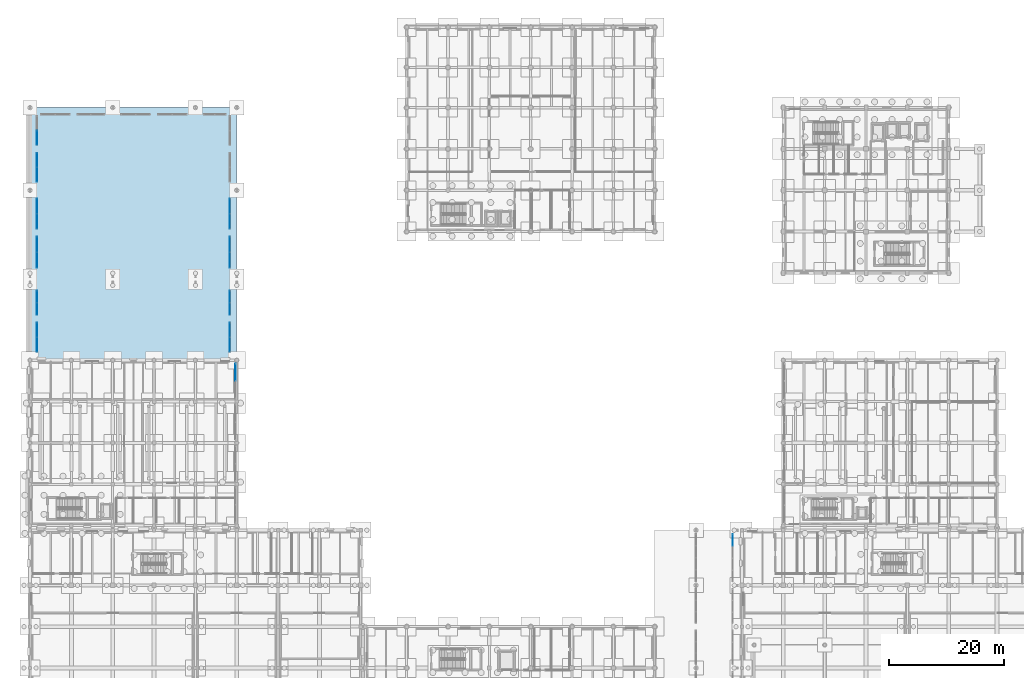
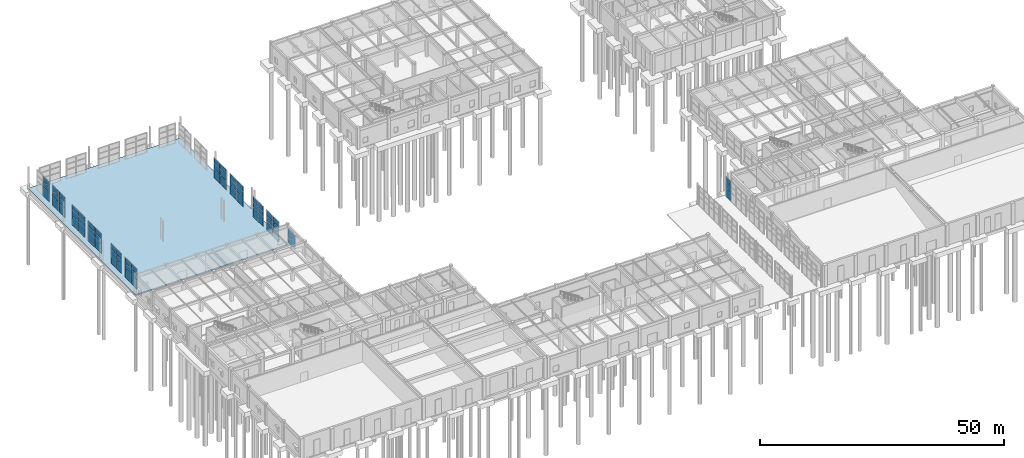
# One storey, part 58 of 91: 62 plates, 1 slab, 12 elements without a shape of their own.
"""IFC4 building model written with IfcOpenShell, lengths in metres."""

from ifc_helpers import new_model, si_unit, direction, frame, origin, origin_2d, place, context, subcontext, project, spatial, polyline, rectangle, outline, extrude, material, layer, layer_set, type_object, element, aggregate, save


model = new_model("IFC4")

# Units and contexts
model_context = context("Model", 3, precision=1e-05, world=origin(), true_north=direction((0.0, 1.0)))
body_context = subcontext(model_context, "Body", "Model", "MODEL_VIEW")
ifc_project = project(units=[si_unit("LENGTHUNIT", "METRE"), si_unit("AREAUNIT", "SQUARE_METRE"), si_unit("VOLUMEUNIT", "CUBIC_METRE"), si_unit("PLANEANGLEUNIT", "RADIAN"), si_unit("MASSUNIT", "GRAM", prefix="KILO")], contexts=[model_context])

# Site, building, storey
site_placement = place(None, origin())
site = spatial("IfcSite", under=ifc_project, at=site_placement, CompositionType="ELEMENT")
building_placement = place(site_placement, origin())
building = spatial("IfcBuilding", under=site, at=building_placement, Name="Bramveld Media Centre", CompositionType="ELEMENT")
storey_placement = place(building_placement, origin())
storey = spatial("IfcBuildingStorey", under=building, at=storey_placement, Name="L00", CompositionType="ELEMENT", Elevation=0.0)

# Curtain wall, plates
ifc_material_1 = material(Name="Thermally broken anodized bronze aluminium unitized curtain wall with solar-control triple glazing", Category="aluminium")
curtain_wall_type_1 = type_object("IfcCurtainWallType", Name="CW-FACV3-6100x3670", PredefinedType="NOTDEFINED", material=ifc_material_1)
curtain_wall_1_placement = place(storey_placement, origin())
curtain_wall_1 = element("IfcCurtainWall", 1, at=curtain_wall_1_placement, inside=storey, type_object=curtain_wall_type_1, Name="V3 L00 E curtain wall bay 4", PredefinedType="NOTDEFINED")
ifc_material_2 = material(Name="Solar-control triple insulating safety glass unit", Category="glass")
ifc_layer_1 = layer(ifc_material_2, 0.028076171875)
ifc_layer_set_1 = layer_set([ifc_layer_1], Name="Solar-control triple insulating safety glass unit")
plate_type = type_object("IfcPlateType", Name="CW-PAN-EXT", PredefinedType="CURTAIN_PANEL", material=ifc_layer_set_1)
plate_1_placement = place(storey_placement, frame((35.77001953125, 65.909912109375, 0.909912109375), z_axis=(0.0, 0.0, 1.0), x_axis=(0.0, 1.0, 0.0)))
plate_1 = element("IfcPlate", 2, at=plate_1_placement, type_object=plate_type, Name="CW-FA-6136 panel 2.1", PredefinedType="CURTAIN_PANEL", context=body_context, shape_type="SweptSolid", body=[
    extrude(rectangle(XDim=2.9599609375, YDim=0.028076171875, at=origin_2d()), origin(), (0.0, 0.0, 1.0), 1.7451171875),
])
plate_2_placement = place(storey_placement, frame((35.77001953125, 65.909912109375, 2.71484375), z_axis=(0.0, 0.0, 1.0), x_axis=(0.0, 1.0, 0.0)))
plate_2 = element("IfcPlate", 3, at=plate_2_placement, type_object=plate_type, Name="CW-FA-6136 panel 2.2", PredefinedType="CURTAIN_PANEL", context=body_context, shape_type="SweptSolid", body=[
    extrude(rectangle(XDim=2.9599609375, YDim=0.028076171875, at=origin_2d()), origin(), (0.0, 0.0, 1.0), 1.7451171875),
])
aggregate(curtain_wall_1, [plate_1, plate_2])

ifc_material_3 = material(Name="Thermally broken anodized bronze aluminium unitized curtain wall with solar-control triple glazing", Category="aluminium")
curtain_wall_type_2 = type_object("IfcCurtainWallType", Name="CW-GAL-8300x5160", PredefinedType="NOTDEFINED", material=ifc_material_3)
curtain_wall_2_placement = place(storey_placement, origin())
curtain_wall_2 = element("IfcCurtainWall", 4, at=curtain_wall_2_placement, inside=storey, type_object=curtain_wall_type_2, Name="PASS-E colonnade glazed screen 5", PredefinedType="NOTDEFINED")
plate_3_placement = place(storey_placement, frame((122.39990234375, 36.697509765625, 0.06005859375), z_axis=(0.0, 0.0, 1.0), x_axis=(0.0, 1.0, 0.0)))
plate_3 = element("IfcPlate", 5, at=plate_3_placement, type_object=plate_type, Name="CW-GA-8351 panel 4.1", PredefinedType="CURTAIN_PANEL", context=body_context, shape_type="SweptSolid", body=[
    extrude(rectangle(XDim=1.985107421875, YDim=0.028076171875, at=origin_2d()), origin(), (0.0, 0.0, 1.0), 2.31005859375),
])
plate_4_placement = place(storey_placement, frame((122.39990234375, 36.697509765625, 2.43017578125), z_axis=(0.0, 0.0, 1.0), x_axis=(0.0, 1.0, 0.0)))
plate_4 = element("IfcPlate", 6, at=plate_4_placement, type_object=plate_type, Name="CW-GA-8351 panel 4.2", PredefinedType="CURTAIN_PANEL", context=body_context, shape_type="SweptSolid", body=[
    extrude(rectangle(XDim=1.985107421875, YDim=0.028076171875, at=origin_2d()), origin(), (0.0, 0.0, 1.0), 1.340087890625),
])
plate_5_placement = place(storey_placement, frame((122.39990234375, 36.697509765625, 3.830078125), z_axis=(0.0, 0.0, 1.0), x_axis=(0.0, 1.0, 0.0)))
plate_5 = element("IfcPlate", 7, at=plate_5_placement, type_object=plate_type, Name="CW-GA-8351 panel 4.3", PredefinedType="CURTAIN_PANEL", context=body_context, shape_type="SweptSolid", body=[
    extrude(rectangle(XDim=1.985107421875, YDim=0.028076171875, at=origin_2d()), origin(), (0.0, 0.0, 1.0), 1.27001953125),
])
aggregate(curtain_wall_2, [plate_3, plate_4, plate_5])

ifc_material_4 = material(Name="Thermally broken anodized bronze aluminium unitized curtain wall with solar-control triple glazing", Category="aluminium")
curtain_wall_type_3 = type_object("IfcCurtainWallType", Name="CW-GAL-5100x5160", PredefinedType="NOTDEFINED", material=ifc_material_4)
curtain_wall_3_placement = place(storey_placement, origin())
curtain_wall_3 = element("IfcCurtainWall", 8, at=curtain_wall_3_placement, inside=storey, type_object=curtain_wall_type_3, Name="COLN-W colonnade glazed screen 1", PredefinedType="NOTDEFINED")
plate_6_placement = place(storey_placement, frame((1.199951171875, 70.739990234375, 0.06005859375), z_axis=(0.0, 0.0, 1.0), x_axis=(0.0, 1.0, 0.0)))
plate_6 = element("IfcPlate", 9, at=plate_6_placement, type_object=plate_type, Name="CW-GA-5151 panel 1.1", PredefinedType="CURTAIN_PANEL", context=body_context, shape_type="SweptSolid", body=[
    extrude(rectangle(XDim=2.4599609375, YDim=0.028076171875, at=origin_2d()), origin(), (0.0, 0.0, 1.0), 2.31005859375),
])
plate_7_placement = place(storey_placement, frame((1.199951171875, 70.739990234375, 2.43017578125), z_axis=(0.0, 0.0, 1.0), x_axis=(0.0, 1.0, 0.0)))
plate_7 = element("IfcPlate", 10, at=plate_7_placement, type_object=plate_type, Name="CW-GA-5151 panel 1.2", PredefinedType="CURTAIN_PANEL", context=body_context, shape_type="SweptSolid", body=[
    extrude(rectangle(XDim=2.4599609375, YDim=0.028076171875, at=origin_2d()), origin(), (0.0, 0.0, 1.0), 1.340087890625),
])
plate_8_placement = place(storey_placement, frame((1.199951171875, 70.739990234375, 3.830078125), z_axis=(0.0, 0.0, 1.0), x_axis=(0.0, 1.0, 0.0)))
plate_8 = element("IfcPlate", 11, at=plate_8_placement, type_object=plate_type, Name="CW-GA-5151 panel 1.3", PredefinedType="CURTAIN_PANEL", context=body_context, shape_type="SweptSolid", body=[
    extrude(rectangle(XDim=2.4599609375, YDim=0.028076171875, at=origin_2d()), origin(), (0.0, 0.0, 1.0), 1.27001953125),
])
plate_9_placement = place(storey_placement, frame((1.199951171875, 73.260009765625, 0.06005859375), z_axis=(0.0, 0.0, 1.0), x_axis=(0.0, 1.0, 0.0)))
plate_9 = element("IfcPlate", 12, at=plate_9_placement, type_object=plate_type, Name="CW-GA-5151 panel 2.1", PredefinedType="CURTAIN_PANEL", context=body_context, shape_type="SweptSolid", body=[
    extrude(rectangle(XDim=2.4599609375, YDim=0.028076171875, at=origin_2d()), origin(), (0.0, 0.0, 1.0), 2.31005859375),
])
plate_10_placement = place(storey_placement, frame((1.199951171875, 73.260009765625, 2.43017578125), z_axis=(0.0, 0.0, 1.0), x_axis=(0.0, 1.0, 0.0)))
plate_10 = element("IfcPlate", 13, at=plate_10_placement, type_object=plate_type, Name="CW-GA-5151 panel 2.2", PredefinedType="CURTAIN_PANEL", context=body_context, shape_type="SweptSolid", body=[
    extrude(rectangle(XDim=2.4599609375, YDim=0.028076171875, at=origin_2d()), origin(), (0.0, 0.0, 1.0), 1.340087890625),
])
plate_11_placement = place(storey_placement, frame((1.199951171875, 73.260009765625, 3.830078125), z_axis=(0.0, 0.0, 1.0), x_axis=(0.0, 1.0, 0.0)))
plate_11 = element("IfcPlate", 14, at=plate_11_placement, type_object=plate_type, Name="CW-GA-5151 panel 2.3", PredefinedType="CURTAIN_PANEL", context=body_context, shape_type="SweptSolid", body=[
    extrude(rectangle(XDim=2.4599609375, YDim=0.028076171875, at=origin_2d()), origin(), (0.0, 0.0, 1.0), 1.27001953125),
])
aggregate(curtain_wall_3, [plate_6, plate_7, plate_8, plate_9, plate_10, plate_11])

ifc_material_5 = material(Name="Thermally broken anodized bronze aluminium unitized curtain wall with solar-control triple glazing", Category="aluminium")
curtain_wall_type_4 = type_object("IfcCurtainWallType", Name="CW-GAL-4300x5160", PredefinedType="NOTDEFINED", material=ifc_material_5)
curtain_wall_4_placement = place(storey_placement, origin())
curtain_wall_4 = element("IfcCurtainWall", 15, at=curtain_wall_4_placement, inside=storey, type_object=curtain_wall_type_4, Name="COLN-W colonnade glazed screen 2", PredefinedType="NOTDEFINED")
plate_12_placement = place(storey_placement, frame((1.199951171875, 76.93994140625, 0.06005859375), z_axis=(0.0, 0.0, 1.0), x_axis=(0.0, 1.0, 0.0)))
plate_12 = element("IfcPlate", 16, at=plate_12_placement, type_object=plate_type, Name="CW-GA-4351 panel 1.1", PredefinedType="CURTAIN_PANEL", context=body_context, shape_type="SweptSolid", body=[
    extrude(rectangle(XDim=2.06005859375, YDim=0.028076171875, at=origin_2d()), origin(), (0.0, 0.0, 1.0), 2.31005859375),
])
plate_13_placement = place(storey_placement, frame((1.199951171875, 76.93994140625, 2.43017578125), z_axis=(0.0, 0.0, 1.0), x_axis=(0.0, 1.0, 0.0)))
plate_13 = element("IfcPlate", 17, at=plate_13_placement, type_object=plate_type, Name="CW-GA-4351 panel 1.2", PredefinedType="CURTAIN_PANEL", context=body_context, shape_type="SweptSolid", body=[
    extrude(rectangle(XDim=2.06005859375, YDim=0.028076171875, at=origin_2d()), origin(), (0.0, 0.0, 1.0), 1.340087890625),
])
plate_14_placement = place(storey_placement, frame((1.199951171875, 76.93994140625, 3.830078125), z_axis=(0.0, 0.0, 1.0), x_axis=(0.0, 1.0, 0.0)))
plate_14 = element("IfcPlate", 18, at=plate_14_placement, type_object=plate_type, Name="CW-GA-4351 panel 1.3", PredefinedType="CURTAIN_PANEL", context=body_context, shape_type="SweptSolid", body=[
    extrude(rectangle(XDim=2.06005859375, YDim=0.028076171875, at=origin_2d()), origin(), (0.0, 0.0, 1.0), 1.27001953125),
])
plate_15_placement = place(storey_placement, frame((1.199951171875, 79.06005859375, 0.06005859375), z_axis=(0.0, 0.0, 1.0), x_axis=(0.0, 1.0, 0.0)))
plate_15 = element("IfcPlate", 19, at=plate_15_placement, type_object=plate_type, Name="CW-GA-4351 panel 2.1", PredefinedType="CURTAIN_PANEL", context=body_context, shape_type="SweptSolid", body=[
    extrude(rectangle(XDim=2.06005859375, YDim=0.028076171875, at=origin_2d()), origin(), (0.0, 0.0, 1.0), 2.31005859375),
])
plate_16_placement = place(storey_placement, frame((1.199951171875, 79.06005859375, 2.43017578125), z_axis=(0.0, 0.0, 1.0), x_axis=(0.0, 1.0, 0.0)))
plate_16 = element("IfcPlate", 20, at=plate_16_placement, type_object=plate_type, Name="CW-GA-4351 panel 2.2", PredefinedType="CURTAIN_PANEL", context=body_context, shape_type="SweptSolid", body=[
    extrude(rectangle(XDim=2.06005859375, YDim=0.028076171875, at=origin_2d()), origin(), (0.0, 0.0, 1.0), 1.340087890625),
])
plate_17_placement = place(storey_placement, frame((1.199951171875, 79.06005859375, 3.830078125), z_axis=(0.0, 0.0, 1.0), x_axis=(0.0, 1.0, 0.0)))
plate_17 = element("IfcPlate", 21, at=plate_17_placement, type_object=plate_type, Name="CW-GA-4351 panel 2.3", PredefinedType="CURTAIN_PANEL", context=body_context, shape_type="SweptSolid", body=[
    extrude(rectangle(XDim=2.06005859375, YDim=0.028076171875, at=origin_2d()), origin(), (0.0, 0.0, 1.0), 1.27001953125),
])
aggregate(curtain_wall_4, [plate_12, plate_13, plate_14, plate_15, plate_16, plate_17])

ifc_material_6 = material(Name="Thermally broken anodized bronze aluminium unitized curtain wall with solar-control triple glazing", Category="aluminium")
curtain_wall_type_5 = type_object("IfcCurtainWallType", Name="CW-GAL-5500x5160", PredefinedType="NOTDEFINED", material=ifc_material_6)
curtain_wall_5_placement = place(storey_placement, origin())
curtain_wall_5 = element("IfcCurtainWall", 22, at=curtain_wall_5_placement, inside=storey, type_object=curtain_wall_type_5, Name="COLN-W colonnade glazed screen 4", PredefinedType="NOTDEFINED")
plate_18_placement = place(storey_placement, frame((1.199951171875, 85.43994140625, 0.06005859375), z_axis=(0.0, 0.0, 1.0), x_axis=(0.0, 1.0, 0.0)))
plate_18 = element("IfcPlate", 23, at=plate_18_placement, type_object=plate_type, Name="CW-GA-5551 panel 1.1", PredefinedType="CURTAIN_PANEL", context=body_context, shape_type="SweptSolid", body=[
    extrude(rectangle(XDim=2.659912109375, YDim=0.028076171875, at=origin_2d()), origin(), (0.0, 0.0, 1.0), 2.31005859375),
])
plate_19_placement = place(storey_placement, frame((1.199951171875, 85.43994140625, 2.43017578125), z_axis=(0.0, 0.0, 1.0), x_axis=(0.0, 1.0, 0.0)))
plate_19 = element("IfcPlate", 24, at=plate_19_placement, type_object=plate_type, Name="CW-GA-5551 panel 1.2", PredefinedType="CURTAIN_PANEL", context=body_context, shape_type="SweptSolid", body=[
    extrude(rectangle(XDim=2.659912109375, YDim=0.028076171875, at=origin_2d()), origin(), (0.0, 0.0, 1.0), 1.340087890625),
])
plate_20_placement = place(storey_placement, frame((1.199951171875, 85.43994140625, 3.830078125), z_axis=(0.0, 0.0, 1.0), x_axis=(0.0, 1.0, 0.0)))
plate_20 = element("IfcPlate", 25, at=plate_20_placement, type_object=plate_type, Name="CW-GA-5551 panel 1.3", PredefinedType="CURTAIN_PANEL", context=body_context, shape_type="SweptSolid", body=[
    extrude(rectangle(XDim=2.659912109375, YDim=0.028076171875, at=origin_2d()), origin(), (0.0, 0.0, 1.0), 1.27001953125),
])
plate_21_placement = place(storey_placement, frame((1.199951171875, 88.159912109375, 0.06005859375), z_axis=(0.0, 0.0, 1.0), x_axis=(0.0, 1.0, 0.0)))
plate_21 = element("IfcPlate", 26, at=plate_21_placement, type_object=plate_type, Name="CW-GA-5551 panel 2.1", PredefinedType="CURTAIN_PANEL", context=body_context, shape_type="SweptSolid", body=[
    extrude(rectangle(XDim=2.659912109375, YDim=0.028076171875, at=origin_2d()), origin(), (0.0, 0.0, 1.0), 2.31005859375),
])
plate_22_placement = place(storey_placement, frame((1.199951171875, 88.159912109375, 2.43017578125), z_axis=(0.0, 0.0, 1.0), x_axis=(0.0, 1.0, 0.0)))
plate_22 = element("IfcPlate", 27, at=plate_22_placement, type_object=plate_type, Name="CW-GA-5551 panel 2.2", PredefinedType="CURTAIN_PANEL", context=body_context, shape_type="SweptSolid", body=[
    extrude(rectangle(XDim=2.659912109375, YDim=0.028076171875, at=origin_2d()), origin(), (0.0, 0.0, 1.0), 1.340087890625),
])
plate_23_placement = place(storey_placement, frame((1.199951171875, 88.159912109375, 3.830078125), z_axis=(0.0, 0.0, 1.0), x_axis=(0.0, 1.0, 0.0)))
plate_23 = element("IfcPlate", 28, at=plate_23_placement, type_object=plate_type, Name="CW-GA-5551 panel 2.3", PredefinedType="CURTAIN_PANEL", context=body_context, shape_type="SweptSolid", body=[
    extrude(rectangle(XDim=2.659912109375, YDim=0.028076171875, at=origin_2d()), origin(), (0.0, 0.0, 1.0), 1.27001953125),
])
aggregate(curtain_wall_5, [plate_18, plate_19, plate_20, plate_21, plate_22, plate_23])

ifc_material_7 = material(Name="Thermally broken anodized bronze aluminium unitized curtain wall with solar-control triple glazing", Category="aluminium")
curtain_wall_type_6 = type_object("IfcCurtainWallType", Name="CW-GAL-5300x5160", PredefinedType="NOTDEFINED", material=ifc_material_7)
curtain_wall_6_placement = place(storey_placement, origin())
curtain_wall_6 = element("IfcCurtainWall", 29, at=curtain_wall_6_placement, inside=storey, type_object=curtain_wall_type_6, Name="COLN-W colonnade glazed screen 5", PredefinedType="NOTDEFINED")
plate_24_placement = place(storey_placement, frame((1.199951171875, 92.18994140625, 0.06005859375), z_axis=(0.0, 0.0, 1.0), x_axis=(0.0, 1.0, 0.0)))
plate_24 = element("IfcPlate", 30, at=plate_24_placement, type_object=plate_type, Name="CW-GA-5351 panel 1.1", PredefinedType="CURTAIN_PANEL", context=body_context, shape_type="SweptSolid", body=[
    extrude(rectangle(XDim=2.56005859375, YDim=0.028076171875, at=origin_2d()), origin(), (0.0, 0.0, 1.0), 2.31005859375),
])
plate_25_placement = place(storey_placement, frame((1.199951171875, 92.18994140625, 2.43017578125), z_axis=(0.0, 0.0, 1.0), x_axis=(0.0, 1.0, 0.0)))
plate_25 = element("IfcPlate", 31, at=plate_25_placement, type_object=plate_type, Name="CW-GA-5351 panel 1.2", PredefinedType="CURTAIN_PANEL", context=body_context, shape_type="SweptSolid", body=[
    extrude(rectangle(XDim=2.56005859375, YDim=0.028076171875, at=origin_2d()), origin(), (0.0, 0.0, 1.0), 1.340087890625),
])
plate_26_placement = place(storey_placement, frame((1.199951171875, 92.18994140625, 3.830078125), z_axis=(0.0, 0.0, 1.0), x_axis=(0.0, 1.0, 0.0)))
plate_26 = element("IfcPlate", 32, at=plate_26_placement, type_object=plate_type, Name="CW-GA-5351 panel 1.3", PredefinedType="CURTAIN_PANEL", context=body_context, shape_type="SweptSolid", body=[
    extrude(rectangle(XDim=2.56005859375, YDim=0.028076171875, at=origin_2d()), origin(), (0.0, 0.0, 1.0), 1.27001953125),
])
plate_27_placement = place(storey_placement, frame((1.199951171875, 94.81005859375, 0.06005859375), z_axis=(0.0, 0.0, 1.0), x_axis=(0.0, 1.0, 0.0)))
plate_27 = element("IfcPlate", 33, at=plate_27_placement, type_object=plate_type, Name="CW-GA-5351 panel 2.1", PredefinedType="CURTAIN_PANEL", context=body_context, shape_type="SweptSolid", body=[
    extrude(rectangle(XDim=2.56005859375, YDim=0.028076171875, at=origin_2d()), origin(), (0.0, 0.0, 1.0), 2.31005859375),
])
plate_28_placement = place(storey_placement, frame((1.199951171875, 94.81005859375, 2.43017578125), z_axis=(0.0, 0.0, 1.0), x_axis=(0.0, 1.0, 0.0)))
plate_28 = element("IfcPlate", 34, at=plate_28_placement, type_object=plate_type, Name="CW-GA-5351 panel 2.2", PredefinedType="CURTAIN_PANEL", context=body_context, shape_type="SweptSolid", body=[
    extrude(rectangle(XDim=2.56005859375, YDim=0.028076171875, at=origin_2d()), origin(), (0.0, 0.0, 1.0), 1.340087890625),
])
plate_29_placement = place(storey_placement, frame((1.199951171875, 94.81005859375, 3.830078125), z_axis=(0.0, 0.0, 1.0), x_axis=(0.0, 1.0, 0.0)))
plate_29 = element("IfcPlate", 35, at=plate_29_placement, type_object=plate_type, Name="CW-GA-5351 panel 2.3", PredefinedType="CURTAIN_PANEL", context=body_context, shape_type="SweptSolid", body=[
    extrude(rectangle(XDim=2.56005859375, YDim=0.028076171875, at=origin_2d()), origin(), (0.0, 0.0, 1.0), 1.27001953125),
])
aggregate(curtain_wall_6, [plate_24, plate_25, plate_26, plate_27, plate_28, plate_29])

curtain_wall_7_placement = place(storey_placement, origin())
curtain_wall_7 = element("IfcCurtainWall", 36, at=curtain_wall_7_placement, inside=storey, type_object=curtain_wall_type_3, Name="COLN-W colonnade glazed screen 7", PredefinedType="NOTDEFINED")
plate_30_placement = place(storey_placement, frame((1.199951171875, 100.340087890625, 0.06005859375), z_axis=(0.0, 0.0, 1.0), x_axis=(0.0, 1.0, 0.0)))
plate_30 = element("IfcPlate", 37, at=plate_30_placement, type_object=plate_type, Name="CW-GA-5151 panel 1.1", PredefinedType="CURTAIN_PANEL", context=body_context, shape_type="SweptSolid", body=[
    extrude(rectangle(XDim=2.4599609375, YDim=0.028076171875, at=origin_2d()), origin(), (0.0, 0.0, 1.0), 2.31005859375),
])
plate_31_placement = place(storey_placement, frame((1.199951171875, 100.340087890625, 2.43017578125), z_axis=(0.0, 0.0, 1.0), x_axis=(0.0, 1.0, 0.0)))
plate_31 = element("IfcPlate", 38, at=plate_31_placement, type_object=plate_type, Name="CW-GA-5151 panel 1.2", PredefinedType="CURTAIN_PANEL", context=body_context, shape_type="SweptSolid", body=[
    extrude(rectangle(XDim=2.4599609375, YDim=0.028076171875, at=origin_2d()), origin(), (0.0, 0.0, 1.0), 1.340087890625),
])
plate_32_placement = place(storey_placement, frame((1.199951171875, 100.340087890625, 3.830078125), z_axis=(0.0, 0.0, 1.0), x_axis=(0.0, 1.0, 0.0)))
plate_32 = element("IfcPlate", 39, at=plate_32_placement, type_object=plate_type, Name="CW-GA-5151 panel 1.3", PredefinedType="CURTAIN_PANEL", context=body_context, shape_type="SweptSolid", body=[
    extrude(rectangle(XDim=2.4599609375, YDim=0.028076171875, at=origin_2d()), origin(), (0.0, 0.0, 1.0), 1.27001953125),
])
plate_33_placement = place(storey_placement, frame((1.199951171875, 102.860107421875, 0.06005859375), z_axis=(0.0, 0.0, 1.0), x_axis=(0.0, 1.0, 0.0)))
plate_33 = element("IfcPlate", 40, at=plate_33_placement, type_object=plate_type, Name="CW-GA-5151 panel 2.1", PredefinedType="CURTAIN_PANEL", context=body_context, shape_type="SweptSolid", body=[
    extrude(rectangle(XDim=2.4599609375, YDim=0.028076171875, at=origin_2d()), origin(), (0.0, 0.0, 1.0), 2.31005859375),
])
plate_34_placement = place(storey_placement, frame((1.199951171875, 102.860107421875, 2.43017578125), z_axis=(0.0, 0.0, 1.0), x_axis=(0.0, 1.0, 0.0)))
plate_34 = element("IfcPlate", 41, at=plate_34_placement, type_object=plate_type, Name="CW-GA-5151 panel 2.2", PredefinedType="CURTAIN_PANEL", context=body_context, shape_type="SweptSolid", body=[
    extrude(rectangle(XDim=2.4599609375, YDim=0.028076171875, at=origin_2d()), origin(), (0.0, 0.0, 1.0), 1.340087890625),
])
plate_35_placement = place(storey_placement, frame((1.199951171875, 102.860107421875, 3.830078125), z_axis=(0.0, 0.0, 1.0), x_axis=(0.0, 1.0, 0.0)))
plate_35 = element("IfcPlate", 42, at=plate_35_placement, type_object=plate_type, Name="CW-GA-5151 panel 2.3", PredefinedType="CURTAIN_PANEL", context=body_context, shape_type="SweptSolid", body=[
    extrude(rectangle(XDim=2.4599609375, YDim=0.028076171875, at=origin_2d()), origin(), (0.0, 0.0, 1.0), 1.27001953125),
])
aggregate(curtain_wall_7, [plate_30, plate_31, plate_32, plate_33, plate_34, plate_35])

curtain_wall_8_placement = place(storey_placement, origin())
curtain_wall_8 = element("IfcCurtainWall", 43, at=curtain_wall_8_placement, inside=storey, type_object=curtain_wall_type_3, Name="COLN-W colonnade glazed screen 8", PredefinedType="NOTDEFINED")
plate_36_placement = place(storey_placement, frame((1.199951171875, 106.739990234375, 0.06005859375), z_axis=(0.0, 0.0, 1.0), x_axis=(0.0, 1.0, 0.0)))
plate_36 = element("IfcPlate", 44, at=plate_36_placement, type_object=plate_type, Name="CW-GA-5151 panel 1.1", PredefinedType="CURTAIN_PANEL", context=body_context, shape_type="SweptSolid", body=[
    extrude(rectangle(XDim=2.4599609375, YDim=0.028076171875, at=origin_2d()), origin(), (0.0, 0.0, 1.0), 2.31005859375),
])
plate_37_placement = place(storey_placement, frame((1.199951171875, 106.739990234375, 2.43017578125), z_axis=(0.0, 0.0, 1.0), x_axis=(0.0, 1.0, 0.0)))
plate_37 = element("IfcPlate", 45, at=plate_37_placement, type_object=plate_type, Name="CW-GA-5151 panel 1.2", PredefinedType="CURTAIN_PANEL", context=body_context, shape_type="SweptSolid", body=[
    extrude(rectangle(XDim=2.4599609375, YDim=0.028076171875, at=origin_2d()), origin(), (0.0, 0.0, 1.0), 1.340087890625),
])
plate_38_placement = place(storey_placement, frame((1.199951171875, 106.739990234375, 3.830078125), z_axis=(0.0, 0.0, 1.0), x_axis=(0.0, 1.0, 0.0)))
plate_38 = element("IfcPlate", 46, at=plate_38_placement, type_object=plate_type, Name="CW-GA-5151 panel 1.3", PredefinedType="CURTAIN_PANEL", context=body_context, shape_type="SweptSolid", body=[
    extrude(rectangle(XDim=2.4599609375, YDim=0.028076171875, at=origin_2d()), origin(), (0.0, 0.0, 1.0), 1.27001953125),
])
aggregate(curtain_wall_8, [plate_36, plate_37, plate_38])

curtain_wall_9_placement = place(storey_placement, origin())
curtain_wall_9 = element("IfcCurtainWall", 47, at=curtain_wall_9_placement, inside=storey, type_object=curtain_wall_type_3, Name="COLN-E colonnade glazed screen 1", PredefinedType="NOTDEFINED")
plate_39_placement = place(storey_placement, frame((34.800048828125, 70.739990234375, 0.06005859375), z_axis=(0.0, 0.0, 1.0), x_axis=(0.0, 1.0, 0.0)))
plate_39 = element("IfcPlate", 48, at=plate_39_placement, type_object=plate_type, Name="CW-GA-5151 panel 1.1", PredefinedType="CURTAIN_PANEL", context=body_context, shape_type="SweptSolid", body=[
    extrude(rectangle(XDim=2.4599609375, YDim=0.028076171875, at=origin_2d()), origin(), (0.0, 0.0, 1.0), 2.31005859375),
])
plate_40_placement = place(storey_placement, frame((34.800048828125, 70.739990234375, 2.43017578125), z_axis=(0.0, 0.0, 1.0), x_axis=(0.0, 1.0, 0.0)))
plate_40 = element("IfcPlate", 49, at=plate_40_placement, type_object=plate_type, Name="CW-GA-5151 panel 1.2", PredefinedType="CURTAIN_PANEL", context=body_context, shape_type="SweptSolid", body=[
    extrude(rectangle(XDim=2.4599609375, YDim=0.028076171875, at=origin_2d()), origin(), (0.0, 0.0, 1.0), 1.340087890625),
])
plate_41_placement = place(storey_placement, frame((34.800048828125, 70.739990234375, 3.830078125), z_axis=(0.0, 0.0, 1.0), x_axis=(0.0, 1.0, 0.0)))
plate_41 = element("IfcPlate", 50, at=plate_41_placement, type_object=plate_type, Name="CW-GA-5151 panel 1.3", PredefinedType="CURTAIN_PANEL", context=body_context, shape_type="SweptSolid", body=[
    extrude(rectangle(XDim=2.4599609375, YDim=0.028076171875, at=origin_2d()), origin(), (0.0, 0.0, 1.0), 1.27001953125),
])
plate_42_placement = place(storey_placement, frame((34.800048828125, 73.260009765625, 0.06005859375), z_axis=(0.0, 0.0, 1.0), x_axis=(0.0, 1.0, 0.0)))
plate_42 = element("IfcPlate", 51, at=plate_42_placement, type_object=plate_type, Name="CW-GA-5151 panel 2.1", PredefinedType="CURTAIN_PANEL", context=body_context, shape_type="SweptSolid", body=[
    extrude(rectangle(XDim=2.4599609375, YDim=0.028076171875, at=origin_2d()), origin(), (0.0, 0.0, 1.0), 2.31005859375),
])
plate_43_placement = place(storey_placement, frame((34.800048828125, 73.260009765625, 2.43017578125), z_axis=(0.0, 0.0, 1.0), x_axis=(0.0, 1.0, 0.0)))
plate_43 = element("IfcPlate", 52, at=plate_43_placement, type_object=plate_type, Name="CW-GA-5151 panel 2.2", PredefinedType="CURTAIN_PANEL", context=body_context, shape_type="SweptSolid", body=[
    extrude(rectangle(XDim=2.4599609375, YDim=0.028076171875, at=origin_2d()), origin(), (0.0, 0.0, 1.0), 1.340087890625),
])
plate_44_placement = place(storey_placement, frame((34.800048828125, 73.260009765625, 3.830078125), z_axis=(0.0, 0.0, 1.0), x_axis=(0.0, 1.0, 0.0)))
plate_44 = element("IfcPlate", 53, at=plate_44_placement, type_object=plate_type, Name="CW-GA-5151 panel 2.3", PredefinedType="CURTAIN_PANEL", context=body_context, shape_type="SweptSolid", body=[
    extrude(rectangle(XDim=2.4599609375, YDim=0.028076171875, at=origin_2d()), origin(), (0.0, 0.0, 1.0), 1.27001953125),
])
aggregate(curtain_wall_9, [plate_39, plate_40, plate_41, plate_42, plate_43, plate_44])

curtain_wall_10_placement = place(storey_placement, origin())
curtain_wall_10 = element("IfcCurtainWall", 54, at=curtain_wall_10_placement, inside=storey, type_object=curtain_wall_type_4, Name="COLN-E colonnade glazed screen 2", PredefinedType="NOTDEFINED")
plate_45_placement = place(storey_placement, frame((34.800048828125, 76.93994140625, 0.06005859375), z_axis=(0.0, 0.0, 1.0), x_axis=(0.0, 1.0, 0.0)))
plate_45 = element("IfcPlate", 55, at=plate_45_placement, type_object=plate_type, Name="CW-GA-4351 panel 1.1", PredefinedType="CURTAIN_PANEL", context=body_context, shape_type="SweptSolid", body=[
    extrude(rectangle(XDim=2.06005859375, YDim=0.028076171875, at=origin_2d()), origin(), (0.0, 0.0, 1.0), 2.31005859375),
])
plate_46_placement = place(storey_placement, frame((34.800048828125, 76.93994140625, 2.43017578125), z_axis=(0.0, 0.0, 1.0), x_axis=(0.0, 1.0, 0.0)))
plate_46 = element("IfcPlate", 56, at=plate_46_placement, type_object=plate_type, Name="CW-GA-4351 panel 1.2", PredefinedType="CURTAIN_PANEL", context=body_context, shape_type="SweptSolid", body=[
    extrude(rectangle(XDim=2.06005859375, YDim=0.028076171875, at=origin_2d()), origin(), (0.0, 0.0, 1.0), 1.340087890625),
])
plate_47_placement = place(storey_placement, frame((34.800048828125, 76.93994140625, 3.830078125), z_axis=(0.0, 0.0, 1.0), x_axis=(0.0, 1.0, 0.0)))
plate_47 = element("IfcPlate", 57, at=plate_47_placement, type_object=plate_type, Name="CW-GA-4351 panel 1.3", PredefinedType="CURTAIN_PANEL", context=body_context, shape_type="SweptSolid", body=[
    extrude(rectangle(XDim=2.06005859375, YDim=0.028076171875, at=origin_2d()), origin(), (0.0, 0.0, 1.0), 1.27001953125),
])
plate_48_placement = place(storey_placement, frame((34.800048828125, 79.06005859375, 0.06005859375), z_axis=(0.0, 0.0, 1.0), x_axis=(0.0, 1.0, 0.0)))
plate_48 = element("IfcPlate", 58, at=plate_48_placement, type_object=plate_type, Name="CW-GA-4351 panel 2.1", PredefinedType="CURTAIN_PANEL", context=body_context, shape_type="SweptSolid", body=[
    extrude(rectangle(XDim=2.06005859375, YDim=0.028076171875, at=origin_2d()), origin(), (0.0, 0.0, 1.0), 2.31005859375),
])
plate_49_placement = place(storey_placement, frame((34.800048828125, 79.06005859375, 2.43017578125), z_axis=(0.0, 0.0, 1.0), x_axis=(0.0, 1.0, 0.0)))
plate_49 = element("IfcPlate", 59, at=plate_49_placement, type_object=plate_type, Name="CW-GA-4351 panel 2.2", PredefinedType="CURTAIN_PANEL", context=body_context, shape_type="SweptSolid", body=[
    extrude(rectangle(XDim=2.06005859375, YDim=0.028076171875, at=origin_2d()), origin(), (0.0, 0.0, 1.0), 1.340087890625),
])
plate_50_placement = place(storey_placement, frame((34.800048828125, 79.06005859375, 3.830078125), z_axis=(0.0, 0.0, 1.0), x_axis=(0.0, 1.0, 0.0)))
plate_50 = element("IfcPlate", 60, at=plate_50_placement, type_object=plate_type, Name="CW-GA-4351 panel 2.3", PredefinedType="CURTAIN_PANEL", context=body_context, shape_type="SweptSolid", body=[
    extrude(rectangle(XDim=2.06005859375, YDim=0.028076171875, at=origin_2d()), origin(), (0.0, 0.0, 1.0), 1.27001953125),
])
aggregate(curtain_wall_10, [plate_45, plate_46, plate_47, plate_48, plate_49, plate_50])

curtain_wall_11_placement = place(storey_placement, origin())
curtain_wall_11 = element("IfcCurtainWall", 61, at=curtain_wall_11_placement, inside=storey, type_object=curtain_wall_type_5, Name="COLN-E colonnade glazed screen 4", PredefinedType="NOTDEFINED")
plate_51_placement = place(storey_placement, frame((34.800048828125, 85.43994140625, 0.06005859375), z_axis=(0.0, 0.0, 1.0), x_axis=(0.0, 1.0, 0.0)))
plate_51 = element("IfcPlate", 62, at=plate_51_placement, type_object=plate_type, Name="CW-GA-5551 panel 1.1", PredefinedType="CURTAIN_PANEL", context=body_context, shape_type="SweptSolid", body=[
    extrude(rectangle(XDim=2.659912109375, YDim=0.028076171875, at=origin_2d()), origin(), (0.0, 0.0, 1.0), 2.31005859375),
])
plate_52_placement = place(storey_placement, frame((34.800048828125, 85.43994140625, 2.43017578125), z_axis=(0.0, 0.0, 1.0), x_axis=(0.0, 1.0, 0.0)))
plate_52 = element("IfcPlate", 63, at=plate_52_placement, type_object=plate_type, Name="CW-GA-5551 panel 1.2", PredefinedType="CURTAIN_PANEL", context=body_context, shape_type="SweptSolid", body=[
    extrude(rectangle(XDim=2.659912109375, YDim=0.028076171875, at=origin_2d()), origin(), (0.0, 0.0, 1.0), 1.340087890625),
])
plate_53_placement = place(storey_placement, frame((34.800048828125, 85.43994140625, 3.830078125), z_axis=(0.0, 0.0, 1.0), x_axis=(0.0, 1.0, 0.0)))
plate_53 = element("IfcPlate", 64, at=plate_53_placement, type_object=plate_type, Name="CW-GA-5551 panel 1.3", PredefinedType="CURTAIN_PANEL", context=body_context, shape_type="SweptSolid", body=[
    extrude(rectangle(XDim=2.659912109375, YDim=0.028076171875, at=origin_2d()), origin(), (0.0, 0.0, 1.0), 1.27001953125),
])
plate_54_placement = place(storey_placement, frame((34.800048828125, 88.159912109375, 0.06005859375), z_axis=(0.0, 0.0, 1.0), x_axis=(0.0, 1.0, 0.0)))
plate_54 = element("IfcPlate", 65, at=plate_54_placement, type_object=plate_type, Name="CW-GA-5551 panel 2.1", PredefinedType="CURTAIN_PANEL", context=body_context, shape_type="SweptSolid", body=[
    extrude(rectangle(XDim=2.659912109375, YDim=0.028076171875, at=origin_2d()), origin(), (0.0, 0.0, 1.0), 2.31005859375),
])
plate_55_placement = place(storey_placement, frame((34.800048828125, 88.159912109375, 2.43017578125), z_axis=(0.0, 0.0, 1.0), x_axis=(0.0, 1.0, 0.0)))
plate_55 = element("IfcPlate", 66, at=plate_55_placement, type_object=plate_type, Name="CW-GA-5551 panel 2.2", PredefinedType="CURTAIN_PANEL", context=body_context, shape_type="SweptSolid", body=[
    extrude(rectangle(XDim=2.659912109375, YDim=0.028076171875, at=origin_2d()), origin(), (0.0, 0.0, 1.0), 1.340087890625),
])
plate_56_placement = place(storey_placement, frame((34.800048828125, 88.159912109375, 3.830078125), z_axis=(0.0, 0.0, 1.0), x_axis=(0.0, 1.0, 0.0)))
plate_56 = element("IfcPlate", 67, at=plate_56_placement, type_object=plate_type, Name="CW-GA-5551 panel 2.3", PredefinedType="CURTAIN_PANEL", context=body_context, shape_type="SweptSolid", body=[
    extrude(rectangle(XDim=2.659912109375, YDim=0.028076171875, at=origin_2d()), origin(), (0.0, 0.0, 1.0), 1.27001953125),
])
aggregate(curtain_wall_11, [plate_51, plate_52, plate_53, plate_54, plate_55, plate_56])

curtain_wall_12_placement = place(storey_placement, origin())
curtain_wall_12 = element("IfcCurtainWall", 68, at=curtain_wall_12_placement, inside=storey, type_object=curtain_wall_type_6, Name="COLN-E colonnade glazed screen 5", PredefinedType="NOTDEFINED")
plate_57_placement = place(storey_placement, frame((34.800048828125, 92.18994140625, 0.06005859375), z_axis=(0.0, 0.0, 1.0), x_axis=(0.0, 1.0, 0.0)))
plate_57 = element("IfcPlate", 69, at=plate_57_placement, type_object=plate_type, Name="CW-GA-5351 panel 1.1", PredefinedType="CURTAIN_PANEL", context=body_context, shape_type="SweptSolid", body=[
    extrude(rectangle(XDim=2.56005859375, YDim=0.028076171875, at=origin_2d()), origin(), (0.0, 0.0, 1.0), 2.31005859375),
])
plate_58_placement = place(storey_placement, frame((34.800048828125, 92.18994140625, 2.43017578125), z_axis=(0.0, 0.0, 1.0), x_axis=(0.0, 1.0, 0.0)))
plate_58 = element("IfcPlate", 70, at=plate_58_placement, type_object=plate_type, Name="CW-GA-5351 panel 1.2", PredefinedType="CURTAIN_PANEL", context=body_context, shape_type="SweptSolid", body=[
    extrude(rectangle(XDim=2.56005859375, YDim=0.028076171875, at=origin_2d()), origin(), (0.0, 0.0, 1.0), 1.340087890625),
])
plate_59_placement = place(storey_placement, frame((34.800048828125, 92.18994140625, 3.830078125), z_axis=(0.0, 0.0, 1.0), x_axis=(0.0, 1.0, 0.0)))
plate_59 = element("IfcPlate", 71, at=plate_59_placement, type_object=plate_type, Name="CW-GA-5351 panel 1.3", PredefinedType="CURTAIN_PANEL", context=body_context, shape_type="SweptSolid", body=[
    extrude(rectangle(XDim=2.56005859375, YDim=0.028076171875, at=origin_2d()), origin(), (0.0, 0.0, 1.0), 1.27001953125),
])
plate_60_placement = place(storey_placement, frame((34.800048828125, 94.81005859375, 0.06005859375), z_axis=(0.0, 0.0, 1.0), x_axis=(0.0, 1.0, 0.0)))
plate_60 = element("IfcPlate", 72, at=plate_60_placement, type_object=plate_type, Name="CW-GA-5351 panel 2.1", PredefinedType="CURTAIN_PANEL", context=body_context, shape_type="SweptSolid", body=[
    extrude(rectangle(XDim=2.56005859375, YDim=0.028076171875, at=origin_2d()), origin(), (0.0, 0.0, 1.0), 2.31005859375),
])
plate_61_placement = place(storey_placement, frame((34.800048828125, 94.81005859375, 2.43017578125), z_axis=(0.0, 0.0, 1.0), x_axis=(0.0, 1.0, 0.0)))
plate_61 = element("IfcPlate", 73, at=plate_61_placement, type_object=plate_type, Name="CW-GA-5351 panel 2.2", PredefinedType="CURTAIN_PANEL", context=body_context, shape_type="SweptSolid", body=[
    extrude(rectangle(XDim=2.56005859375, YDim=0.028076171875, at=origin_2d()), origin(), (0.0, 0.0, 1.0), 1.340087890625),
])
plate_62_placement = place(storey_placement, frame((34.800048828125, 94.81005859375, 3.830078125), z_axis=(0.0, 0.0, 1.0), x_axis=(0.0, 1.0, 0.0)))
plate_62 = element("IfcPlate", 74, at=plate_62_placement, type_object=plate_type, Name="CW-GA-5351 panel 2.3", PredefinedType="CURTAIN_PANEL", context=body_context, shape_type="SweptSolid", body=[
    extrude(rectangle(XDim=2.56005859375, YDim=0.028076171875, at=origin_2d()), origin(), (0.0, 0.0, 1.0), 1.27001953125),
])
aggregate(curtain_wall_12, [plate_57, plate_58, plate_59, plate_60, plate_61, plate_62])

# Slab
ifc_material_8 = material(Name="Concrete C35/45", Category="concrete")
ifc_layer_2 = layer(ifc_material_8, 0.280029296875)
ifc_layer_set_2 = layer_set([ifc_layer_2], Name="Concrete C35/45")
slab_type = type_object("IfcSlabType", Name="SLAB-BASESLAB-EXT-280", PredefinedType="BASESLAB", material=ifc_layer_set_2)
slab_placement = place(storey_placement, frame((0.0, 0.0, -0.280029296875)))
element("IfcSlab", 75, at=slab_placement, inside=storey, type_object=slab_type, Name="West Park Colonnade Apron", PredefinedType="BASESLAB", context=body_context, shape_type="SweptSolid", body=[
    extrude(outline(polyline([(0.0, 68.0), (36.0, 68.0), (36.0, 112.0), (0.0, 112.0), (0.0, 68.0)])), origin(), (0.0, 0.0, 1.0), 0.280029296875),
])

save(model, "model.ifc")
